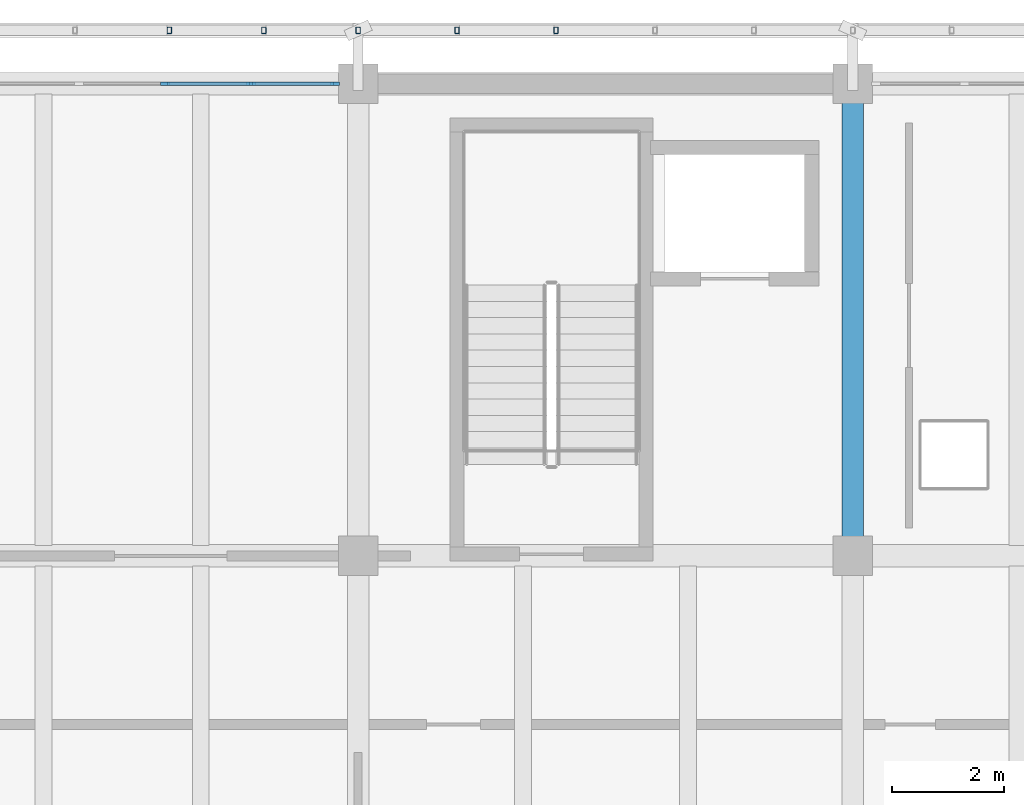
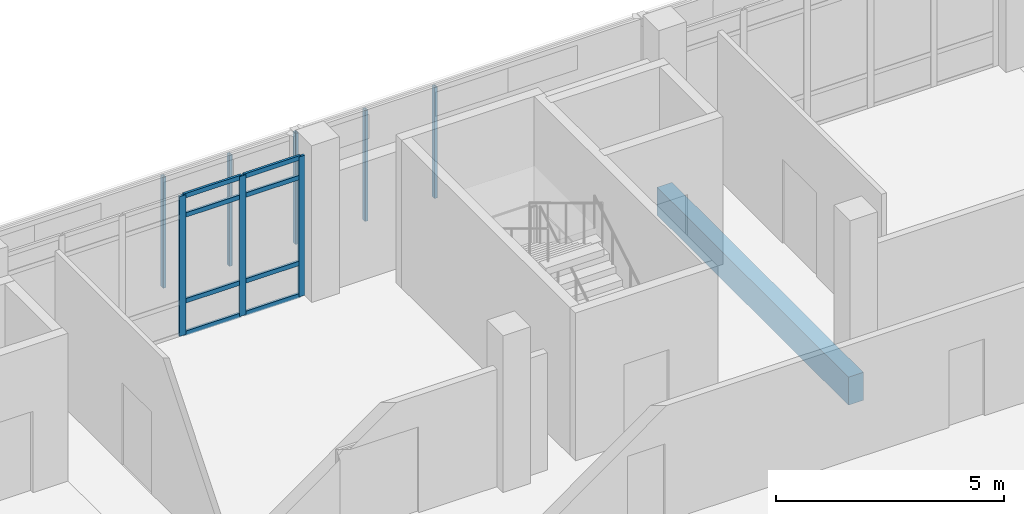
# One storey, part 67 of 137: 16 members, 1 beam, 1 element without a shape of its own.
"""IFC4 building model written with IfcOpenShell, lengths in metres."""

from ifc_helpers import new_model, si_unit, direction, frame, origin, origin_2d, place, context, subcontext, project, spatial, rectangle, hollow_rectangle, extrude, material, material_profile, profile_set, type_object, element, aggregate, save


model = new_model("IFC4")

# Units and contexts
model_context = context("Model", 3, precision=1e-05, world=origin(), true_north=direction((0.0, 1.0)))
body_context = subcontext(model_context, "Body", "Model", "MODEL_VIEW")
ifc_project = project(units=[si_unit("LENGTHUNIT", "METRE"), si_unit("AREAUNIT", "SQUARE_METRE"), si_unit("VOLUMEUNIT", "CUBIC_METRE"), si_unit("PLANEANGLEUNIT", "RADIAN"), si_unit("MASSUNIT", "GRAM", prefix="KILO")], contexts=[model_context])

# Site, building, storey
site_placement = place(None, origin())
site = spatial("IfcSite", under=ifc_project, at=site_placement, CompositionType="ELEMENT")
building_placement = place(site_placement, origin())
building = spatial("IfcBuilding", under=site, at=building_placement, Name="Cinderway Yard Community Centre", CompositionType="ELEMENT")
storey_placement = place(building_placement, frame((0.0, 0.0, 4.800048828125)))
storey = spatial("IfcBuildingStorey", under=building, at=storey_placement, Name="L01", CompositionType="ELEMENT", Elevation=4.800048828125)

# Curtain wall, members
ifc_material_1 = material(Name="Aluminium 6063-T6", Category="aluminium")
curtain_wall_type = type_object("IfcCurtainWallType", Name="ENV-CW-TYPE-26", PredefinedType="USERDEFINED", material=ifc_material_1)
curtain_wall_placement = place(storey_placement, origin())
curtain_wall = element("IfcCurtainWall", 1, at=curtain_wall_placement, inside=storey, type_object=curtain_wall_type, Name="V4 Street Curtain Wall ENV-CW-L01-ST-0126", ObjectType="GLAZED CURTAIN WALL", PredefinedType="USERDEFINED")
ifc_material_profile_1 = material_profile(ifc_material_1, rectangle(XDim=0.06005859375, YDim=0.159912109375, at=origin_2d()), Name="Aluminium 6063-T6")
ifc_profile_set_1 = profile_set([ifc_material_profile_1], Name="Aluminium 6063-T6")
member_type_1 = type_object("IfcMemberType", Name="ENV-CW-MULL-150", PredefinedType="MULLION", material=ifc_profile_set_1)
member_1_placement = place(storey_placement, frame((71.763916015625, 115.199951171875, 0.0), z_axis=(0.0, 0.0, 1.0), x_axis=(0.0, 1.0, 0.0)))
member_1 = element("IfcMember", 2, at=member_1_placement, type_object=member_type_1, Name="CW-26 mullion 4", PredefinedType="MULLION", context=body_context, shape_type="SweptSolid", body=[
    extrude(rectangle(XDim=0.06005859375, YDim=0.159912109375, at=origin_2d()), origin(), (0.0, 0.0, 1.0), 3.75),
])
member_2_placement = place(storey_placement, frame((73.2919921875, 115.199951171875, 0.0), z_axis=(0.0, 0.0, 1.0), x_axis=(0.0, 1.0, 0.0)))
member_2 = element("IfcMember", 3, at=member_2_placement, type_object=member_type_1, Name="CW-26 mullion 5", PredefinedType="MULLION", context=body_context, shape_type="SweptSolid", body=[
    extrude(rectangle(XDim=0.06005859375, YDim=0.159912109375, at=origin_2d()), origin(), (0.0, 0.0, 1.0), 3.75),
])
member_3_placement = place(storey_placement, frame((74.7900390625, 115.199951171875, 0.0), z_axis=(0.0, 0.0, 1.0), x_axis=(0.0, 1.0, 0.0)))
member_3 = element("IfcMember", 4, at=member_3_placement, type_object=member_type_1, Name="CW-26 mullion 6", PredefinedType="MULLION", context=body_context, shape_type="SweptSolid", body=[
    extrude(rectangle(XDim=0.06005859375, YDim=0.159912109375, at=origin_2d()), origin(), (0.0, 0.0, 1.0), 3.75),
])
ifc_material_profile_2 = material_profile(ifc_material_1, rectangle(XDim=0.06005859375, YDim=0.1201171875, at=origin_2d()), Name="Aluminium 6063-T6")
ifc_profile_set_2 = profile_set([ifc_material_profile_2], Name="Aluminium 6063-T6")
member_type_2 = type_object("IfcMemberType", Name="ENV-CW-TRAN-110", PredefinedType="USERDEFINED", material=ifc_profile_set_2)
member_4_placement = place(storey_placement, frame((71.7939453125, 115.199951171875, 0.030029296875), z_axis=(1.0, 0.0, 0.0), x_axis=(0.0, 1.0, 0.0)))
member_4 = element("IfcMember", 5, at=member_4_placement, type_object=member_type_2, Name="CW-26 transom 4.1", ObjectType="TRANSOM", PredefinedType="USERDEFINED", context=body_context, shape_type="SweptSolid", body=[
    extrude(rectangle(XDim=0.06005859375, YDim=0.1201171875, at=origin_2d()), origin(), (0.0, 0.0, 1.0), 1.468017578125),
])
member_5_placement = place(storey_placement, frame((71.7939453125, 115.199951171875, 0.89990234375), z_axis=(1.0, 0.0, 0.0), x_axis=(0.0, 1.0, 0.0)))
member_5 = element("IfcMember", 6, at=member_5_placement, type_object=member_type_2, Name="CW-26 transom 4.2", ObjectType="TRANSOM", PredefinedType="USERDEFINED", context=body_context, shape_type="SweptSolid", body=[
    extrude(rectangle(XDim=0.06005859375, YDim=0.1201171875, at=origin_2d()), origin(), (0.0, 0.0, 1.0), 1.468017578125),
])
member_6_placement = place(storey_placement, frame((71.7939453125, 115.199951171875, 3.199951171875), z_axis=(1.0, 0.0, 0.0), x_axis=(0.0, 1.0, 0.0)))
member_6 = element("IfcMember", 7, at=member_6_placement, type_object=member_type_2, Name="CW-26 transom 4.3", ObjectType="TRANSOM", PredefinedType="USERDEFINED", context=body_context, shape_type="SweptSolid", body=[
    extrude(rectangle(XDim=0.06005859375, YDim=0.1201171875, at=origin_2d()), origin(), (0.0, 0.0, 1.0), 1.468017578125),
])
member_7_placement = place(storey_placement, frame((71.7939453125, 115.199951171875, 3.719970703125), z_axis=(1.0, 0.0, 0.0), x_axis=(0.0, 1.0, 0.0)))
member_7 = element("IfcMember", 8, at=member_7_placement, type_object=member_type_2, Name="CW-26 transom 4.4", ObjectType="TRANSOM", PredefinedType="USERDEFINED", context=body_context, shape_type="SweptSolid", body=[
    extrude(rectangle(XDim=0.06005859375, YDim=0.1201171875, at=origin_2d()), origin(), (0.0, 0.0, 1.0), 1.468017578125),
])
member_8_placement = place(storey_placement, frame((73.322021484375, 115.199951171875, 0.030029296875), z_axis=(1.0, 0.0, 0.0), x_axis=(0.0, 1.0, 0.0)))
member_8 = element("IfcMember", 9, at=member_8_placement, type_object=member_type_2, Name="CW-26 transom 5.1", ObjectType="TRANSOM", PredefinedType="USERDEFINED", context=body_context, shape_type="SweptSolid", body=[
    extrude(rectangle(XDim=0.06005859375, YDim=0.1201171875, at=origin_2d()), origin(), (0.0, 0.0, 1.0), 1.43798828125),
])
member_9_placement = place(storey_placement, frame((73.322021484375, 115.199951171875, 0.89990234375), z_axis=(1.0, 0.0, 0.0), x_axis=(0.0, 1.0, 0.0)))
member_9 = element("IfcMember", 10, at=member_9_placement, type_object=member_type_2, Name="CW-26 transom 5.2", ObjectType="TRANSOM", PredefinedType="USERDEFINED", context=body_context, shape_type="SweptSolid", body=[
    extrude(rectangle(XDim=0.06005859375, YDim=0.1201171875, at=origin_2d()), origin(), (0.0, 0.0, 1.0), 1.43798828125),
])
member_10_placement = place(storey_placement, frame((73.322021484375, 115.199951171875, 3.199951171875), z_axis=(1.0, 0.0, 0.0), x_axis=(0.0, 1.0, 0.0)))
member_10 = element("IfcMember", 11, at=member_10_placement, type_object=member_type_2, Name="CW-26 transom 5.3", ObjectType="TRANSOM", PredefinedType="USERDEFINED", context=body_context, shape_type="SweptSolid", body=[
    extrude(rectangle(XDim=0.06005859375, YDim=0.1201171875, at=origin_2d()), origin(), (0.0, 0.0, 1.0), 1.43798828125),
])
member_11_placement = place(storey_placement, frame((73.322021484375, 115.199951171875, 3.719970703125), z_axis=(1.0, 0.0, 0.0), x_axis=(0.0, 1.0, 0.0)))
member_11 = element("IfcMember", 12, at=member_11_placement, type_object=member_type_2, Name="CW-26 transom 5.4", ObjectType="TRANSOM", PredefinedType="USERDEFINED", context=body_context, shape_type="SweptSolid", body=[
    extrude(rectangle(XDim=0.06005859375, YDim=0.1201171875, at=origin_2d()), origin(), (0.0, 0.0, 1.0), 1.43798828125),
])
aggregate(curtain_wall, [member_1, member_2, member_3, member_4, member_5, member_6, member_7, member_8, member_9, member_10, member_11])

# Members
ifc_material_2 = material(Name="Steel S355", Category="steel")
ifc_material_profile_3 = material_profile(ifc_material_2, hollow_rectangle(XDim=0.080078125, YDim=0.1201171875, WallThickness=0.00634765625, InnerFilletRadius=0.00634765625, OuterFilletRadius=0.0126953125, at=origin_2d()), Name="Steel S355")
ifc_profile_set_3 = profile_set([ifc_material_profile_3], Name="Steel S355")
member_type_3 = type_object("IfcMemberType", Name="ENV-MEM-SCREEN-RAIL-120", PredefinedType="STRINGER", material=ifc_profile_set_3)
for number, where, z_axis, x_axis, name in (
    (13, (71.840087890625, 116.14990234375, 0.68994140625), (0.0, 0.0, 1.0), (1.0, 0.0, 0.0), "Screen vertical mullion 0030"),
    (14, (73.52001953125, 116.14990234375, 0.68994140625), (0.0, 0.0, 1.0), (1.0, 0.0, 0.0), "Screen vertical mullion 0031"),
    (15, (75.199951171875, 116.14990234375, 0.68994140625), (0.0, 0.0, 1.0), (1.0, 0.0, 0.0), "Screen vertical mullion 0032"),
    (16, (76.9599609375, 116.14990234375, 0.68994140625), (0.0, 0.0, 1.0), (1.0, 0.0, 0.0), "Screen vertical mullion 0036"),
    (17, (78.719970703125, 116.14990234375, 0.68994140625), (0.0, 0.0, 1.0), (1.0, 0.0, 0.0), "Screen vertical mullion 0037"),
):
    element("IfcMember", number, at=place(storey_placement, frame(where, z_axis=z_axis, x_axis=x_axis)), inside=storey, type_object=member_type_3, Name=name, PredefinedType="STRINGER", context=body_context, shape_type="SweptSolid", body=[
        extrude(hollow_rectangle(XDim=0.080078125, YDim=0.1201171875, WallThickness=0.00634765625, InnerFilletRadius=0.00634765625, OuterFilletRadius=0.0126953125, at=origin_2d()), origin(), (0.0, 0.0, 1.0), 2.969970703125),
    ])

# Beam
ifc_material_3 = material(Name="Concrete C35/45", Category="concrete")
ifc_material_profile_4 = material_profile(ifc_material_3, rectangle(XDim=0.3798828125, YDim=0.75, at=origin_2d()), Name="Concrete C35/45")
ifc_profile_set_4 = profile_set([ifc_material_profile_4], Name="Concrete C35/45")
beam_type = type_object("IfcBeamType", Name="STR-BM-RC380X750", PredefinedType="BEAM", material=ifc_profile_set_4)
beam_placement = place(storey_placement, frame((84.0, 106.800048828125, -0.635009765625), z_axis=(0.0, 1.0, 0.0), x_axis=(-1.0, 0.0, 0.0)))
element("IfcBeam", 18, at=beam_placement, inside=storey, type_object=beam_type, Name="Transverse girder STR-BM-L01-BG06-0237", PredefinedType="BEAM", context=body_context, shape_type="SweptSolid", body=[
    extrude(rectangle(XDim=0.3798828125, YDim=0.75, at=origin_2d()), origin(), (0.0, 0.0, 1.0), 8.39990234375),
])

save(model, "model.ifc")
